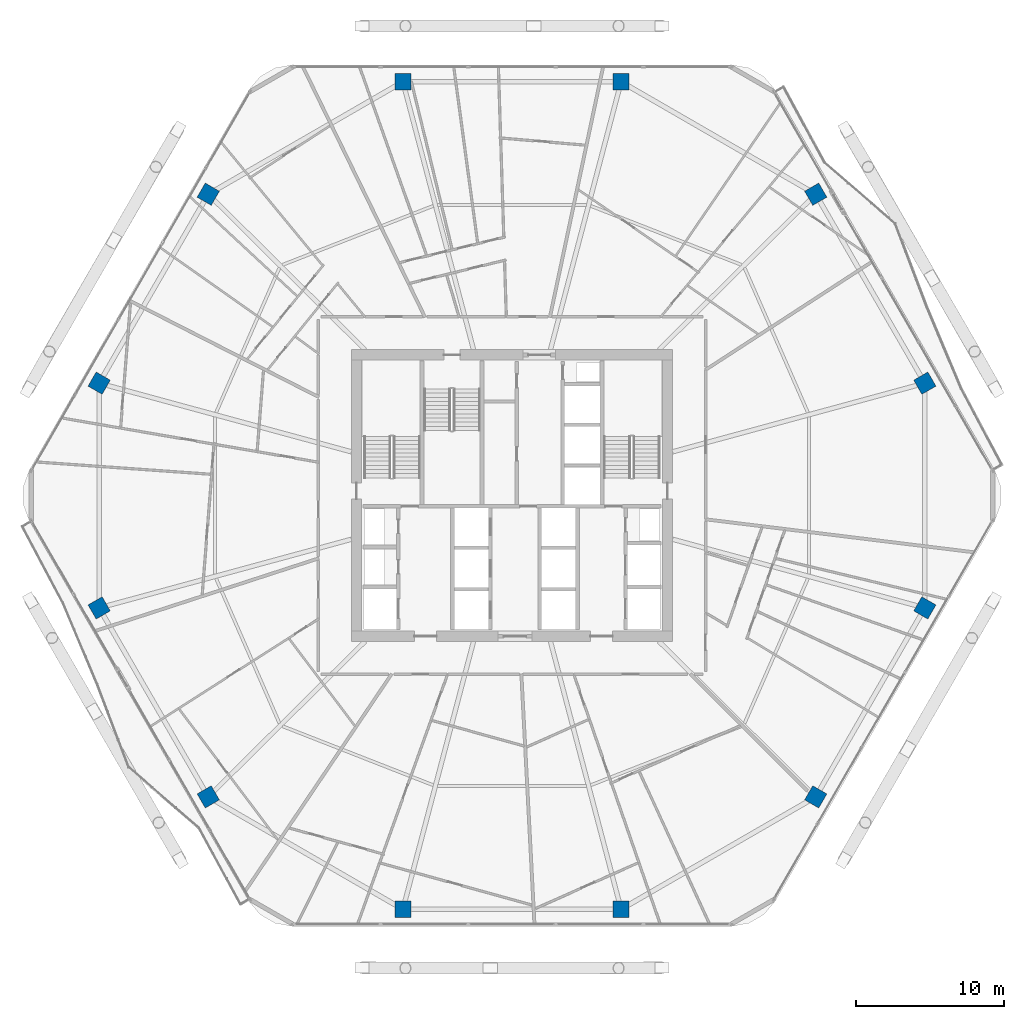
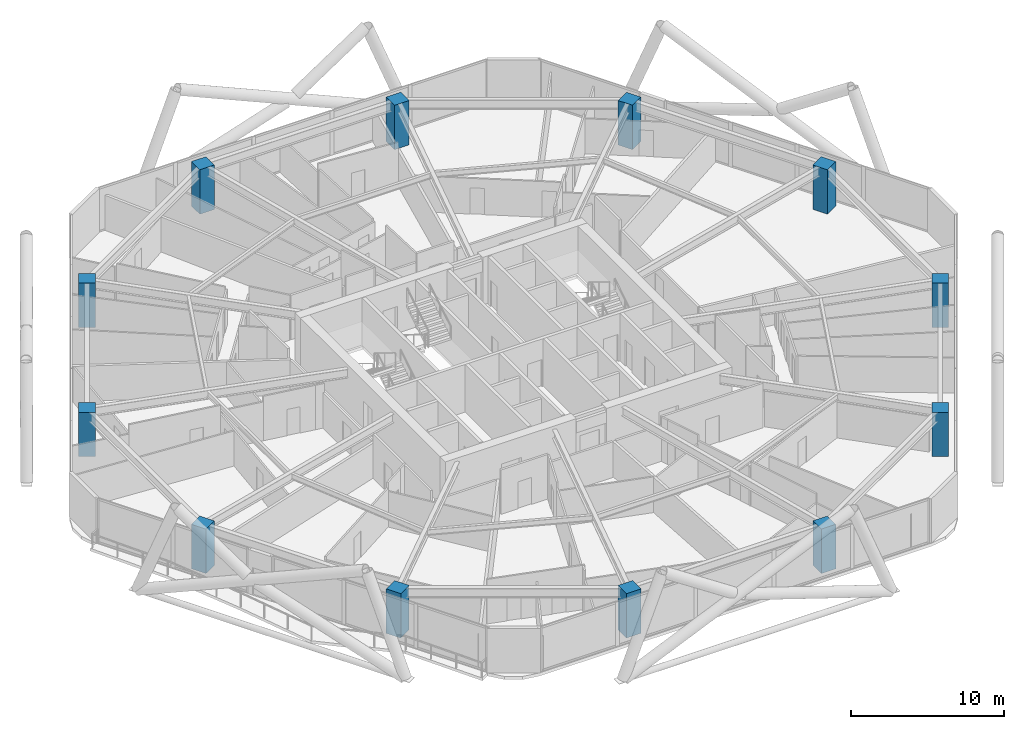
# One storey, part 1 of 35: 12 columns.
"""IFC4 building model written with IfcOpenShell, lengths in metres."""

from ifc_helpers import new_model, si_unit, direction, frame, origin, origin_2d, place, context, subcontext, project, spatial, rectangle, extrude, material, material_profile, profile_set, type_object, element, save


model = new_model("IFC4")

# Units and contexts
model_context = context("Model", 3, precision=1e-05, world=origin(), true_north=direction((0.0, 1.0)))
body_context = subcontext(model_context, "Body", "Model", "MODEL_VIEW")
ifc_project = project(units=[si_unit("LENGTHUNIT", "METRE"), si_unit("AREAUNIT", "SQUARE_METRE"), si_unit("VOLUMEUNIT", "CUBIC_METRE"), si_unit("PLANEANGLEUNIT", "RADIAN"), si_unit("MASSUNIT", "GRAM", prefix="KILO")], contexts=[model_context])

# Site, building, storey
site_placement = place(None, origin())
site = spatial("IfcSite", under=ifc_project, at=site_placement, CompositionType="ELEMENT")
building_placement = place(site_placement, origin())
building = spatial("IfcBuilding", under=site, at=building_placement, Name="Zuhravey Tower", CompositionType="ELEMENT")
storey_placement = place(building_placement, frame((0.0, 0.0, 122.800048828125)))
storey = spatial("IfcBuildingStorey", under=building, at=storey_placement, Name="L30", CompositionType="ELEMENT", Elevation=122.800048828125)

# Columns
ifc_material = material(Name="Concrete C60/75", Category="concrete")
ifc_material_profile = material_profile(ifc_material, rectangle(XDim=1.10009765625, YDim=1.10009765625, at=origin_2d()), Name="RC-1100x1100")
ifc_profile_set = profile_set([ifc_material_profile], Name="Concrete C60/75")
column_type = type_object("IfcColumnType", Name="Zone 1 Upper Column 1100x1100", PredefinedType="COLUMN", material=ifc_profile_set)
for number, where, z_axis, x_axis, name in (
    (1, (63.88916015625, 39.591552734375, 0.0), (0.0, 0.0, 1.0), (-0.5, 0.866025403784, 0.0), "L30 Perimeter Column PC01"),
    (2, (56.51904296875, 52.35693359375, 0.0), (0.0, 0.0, 1.0), (-0.5, 0.866025403784, 0.0), "L30 Perimeter Column PC02"),
    (3, (43.3701171875, 59.948486328125, 0.0), (0.0, 0.0, 1.0), (-1.0, 0.0, 0.0), "L30 Perimeter Column PC03"),
    (4, (28.6298828125, 59.948486328125, 0.0), (0.0, 0.0, 1.0), (-1.0, 0.0, 0.0), "L30 Perimeter Column PC04"),
    (5, (15.48095703125, 52.35693359375, 0.0), (0.0, 0.0, 1.0), (-0.5, -0.866025403784, 0.0), "L30 Perimeter Column PC05"),
    (6, (8.11083984375, 39.591552734375, 0.0), (0.0, 0.0, 1.0), (-0.5, -0.866025403784, 0.0), "L30 Perimeter Column PC06"),
    (7, (8.11083984375, 24.408447265625, 0.0), (0.0, 0.0, 1.0), (0.5, -0.866025403784, 0.0), "L30 Perimeter Column PC07"),
    (8, (15.48095703125, 11.64306640625, 0.0), (0.0, 0.0, 1.0), (0.5, -0.866025403784, 0.0), "L30 Perimeter Column PC08"),
    (9, (28.6298828125, 4.051513671875, 0.0), (0.0, 0.0, 1.0), (1.0, 0.0, 0.0), "L30 Perimeter Column PC09"),
    (10, (43.3701171875, 4.051513671875, 0.0), (0.0, 0.0, 1.0), (1.0, 0.0, 0.0), "L30 Perimeter Column PC10"),
    (11, (56.51904296875, 11.64306640625, 0.0), (0.0, 0.0, 1.0), (0.5, 0.866025403784, 0.0), "L30 Perimeter Column PC11"),
    (12, (63.88916015625, 24.408447265625, 0.0), (0.0, 0.0, 1.0), (0.5, 0.866025403784, 0.0), "L30 Perimeter Column PC12"),
):
    element("IfcColumn", number, at=place(storey_placement, frame(where, z_axis=z_axis, x_axis=x_axis)), inside=storey, type_object=column_type, Name=name, PredefinedType="COLUMN", context=body_context, shape_type="SweptSolid", body=[
        extrude(rectangle(XDim=1.10009765625, YDim=1.10009765625, at=origin_2d()), origin(), (0.0, 0.0, 1.0), 3.550048828125),
    ])

save(model, "model.ifc")
